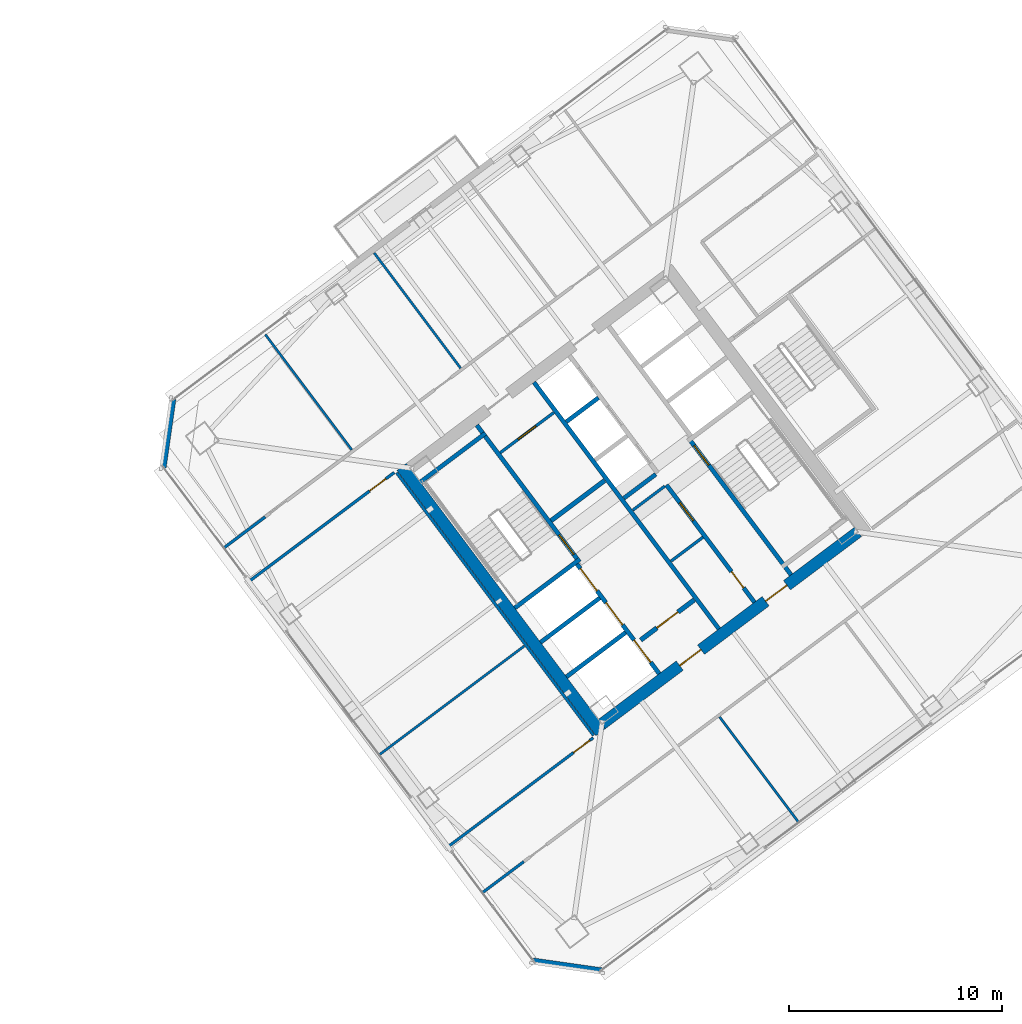
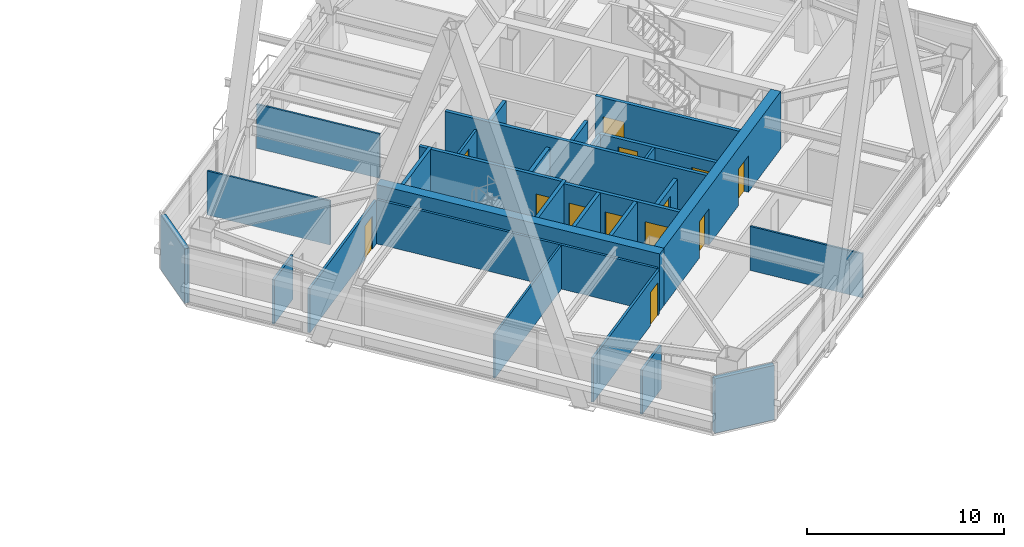
# One storey, part 47 of 55: 29 walls, 13 doors, 13 openings.
"""IFC4 building model written with IfcOpenShell, lengths in metres."""

from ifc_helpers import new_model, si_unit, direction, frame, frame_2d, origin, place, context, subcontext, project, spatial, rectangle, extrude, material, layer, layer_set, type_object, element, fill, save


model = new_model("IFC4")

# Units and contexts
model_context = context("Model", 3, precision=1e-05, world=origin(), true_north=direction((0.0, 1.0)))
body_context = subcontext(model_context, "Body", "Model", "MODEL_VIEW")
ifc_project = project(units=[si_unit("LENGTHUNIT", "METRE"), si_unit("AREAUNIT", "SQUARE_METRE"), si_unit("VOLUMEUNIT", "CUBIC_METRE"), si_unit("PLANEANGLEUNIT", "RADIAN"), si_unit("MASSUNIT", "GRAM", prefix="KILO")], contexts=[model_context])

# Site, building, storey
site_placement = place(None, origin())
site = spatial("IfcSite", under=ifc_project, at=site_placement, CompositionType="ELEMENT")
building_placement = place(site_placement, origin())
building = spatial("IfcBuilding", under=site, at=building_placement, Name="Tashvorn Skyway Center", CompositionType="ELEMENT")
storey_placement = place(building_placement, frame((0.0, 0.0, 178.300048828125)))
storey = spatial("IfcBuildingStorey", under=building, at=storey_placement, Name="L48", CompositionType="ELEMENT", Elevation=178.300048828125)

# Wall
ifc_material_1 = material(Name="Concrete C60/75", Category="concrete")
ifc_layer_1 = layer(ifc_material_1, 0.550048828125)
ifc_layer_set_1 = layer_set([ifc_layer_1], Name="Concrete C60/75")
wall_type_1 = type_object("IfcWallType", Name="WALL-CORE-550", PredefinedType="SHEAR", material=ifc_layer_set_1)
wall_1_placement = place(storey_placement, frame((112.43603515625, 21.076904296875, 0.0), z_axis=(0.0, 0.0, 1.0), x_axis=(-0.600005007985, 0.799996243986, 0.0)))
element("IfcWall", 1, at=wall_1_placement, inside=storey, type_object=wall_type_1, Name="Tower 2 L48 West Core Shear Wall", PredefinedType="SHEAR", context=body_context, shape_type="SweptSolid", body=[
    extrude(rectangle(XDim=15.60009765625, YDim=0.550048828125, at=frame_2d((7.800048828125, 0.0))), origin(), (0.0, 0.0, 1.0), 3.550048828125),
])

# Wall, openings, doors
wall_2_placement = place(storey_placement, frame((124.5390625, 30.498046875, 0.0), z_axis=(0.0, 0.0, 1.0), x_axis=(-0.799998054672, -0.600002593761, 0.0)))
wall_2 = element("IfcWall", 2, at=wall_2_placement, inside=storey, type_object=wall_type_1, Name="Tower 2 L48 South Core Shear Wall", PredefinedType="SHEAR", context=body_context, shape_type="SweptSolid", body=[
    extrude(rectangle(XDim=15.06005859375, YDim=0.550048828125, at=frame_2d((7.530029296875, 0.0))), origin(), (0.0, 0.0, 1.0), 3.550048828125),
])
opening_1_placement = place(wall_2_placement, frame((9.22998046875, 0.0, 0.0)))
opening_1 = element("IfcOpeningElement", 3, at=opening_1_placement, cuts=wall_2, Name="Opening D-FFL-1250", PredefinedType="OPENING", context=body_context, shape_type="SweptSolid", body=[
    extrude(rectangle(XDim=1.25, YDim=2.25, at=frame_2d((0.625, 1.125))), frame((0.0, 0.284912109375, 0.0), z_axis=(0.0, -1.0, 0.0), x_axis=(1.0, 0.0, 0.0)), (0.0, 0.0, 1.0), 0.570068359375),
])
opening_2_placement = place(wall_2_placement, frame((4.179931640625, 0.0, 0.0)))
opening_2 = element("IfcOpeningElement", 4, at=opening_2_placement, cuts=wall_2, Name="Opening D-FFL-1250", PredefinedType="OPENING", context=body_context, shape_type="SweptSolid", body=[
    extrude(rectangle(XDim=1.25, YDim=2.25, at=frame_2d((0.625, 1.125))), frame((0.0, 0.284912109375, 0.0), z_axis=(0.0, -1.0, 0.0), x_axis=(1.0, 0.0, 0.0)), (0.0, 0.0, 1.0), 0.570068359375),
])
ifc_material_2 = material(Name="Hollow galvanized steel fire door assembly", Category="steel")
door_type_1 = type_object("IfcDoorType", Name="DOOR-FFL-1250", OperationType="NOTDEFINED", PredefinedType="DOOR", material=ifc_material_2)
door_1_placement = place(opening_1_placement, origin())
door_1 = element("IfcDoor", 5, at=door_1_placement, inside=storey, type_object=door_type_1, Name="Tower 2 L48 Core South Firefighting Exit Door", OperationType="SINGLE_SWING_LEFT", OverallHeight=2.25, OverallWidth=1.25, PredefinedType="DOOR", context=body_context, shape_type="SweptSolid", body=[
    extrude(rectangle(XDim=1.25, YDim=2.25, at=frame_2d((0.625, 1.125))), frame((0.0, 0.02490234375, 0.0), z_axis=(0.0, -1.0, 0.0), x_axis=(1.0, 0.0, 0.0)), (0.0, 0.0, 1.0), 0.050048828125),
])
fill(opening_1, door_1)
door_2_placement = place(opening_2_placement, origin())
door_2 = element("IfcDoor", 6, at=door_2_placement, inside=storey, type_object=door_type_1, Name="Tower 2 L48 Core South Lift Lobby Door", OperationType="SINGLE_SWING_RIGHT", OverallHeight=2.25, OverallWidth=1.25, PredefinedType="DOOR", context=body_context, shape_type="SweptSolid", body=[
    extrude(rectangle(XDim=1.25, YDim=2.25, at=frame_2d((0.625, 1.125))), frame((0.0, 0.02490234375, 0.0), z_axis=(0.0, -1.0, 0.0), x_axis=(1.0, 0.0, 0.0)), (0.0, 0.0, 1.0), 0.050048828125),
])
fill(opening_2, door_2)

# Walls
ifc_material_3 = material(Name="Precast concrete C40/50", Category="concrete")
ifc_layer_2 = layer(ifc_material_3, 0.280029296875)
ifc_layer_set_2 = layer_set([ifc_layer_2], Name="Precast concrete C40/50")
wall_type_2 = type_object("IfcWallType", Name="WALL-EXT-280", PredefinedType="SOLIDWALL", material=ifc_layer_set_2)
for number, where, z_axis, x_axis, name in (
    (7, (112.47998046875, 9.860107421875, 0.0), (0.0, 0.0, 1.0), (-0.989950994782, 0.141410847992, 0.0), "Tower 2 L48 SW Precast Chamfer Wall"),
    (8, (91.860107421875, 33.52001953125, 0.0), (0.0, 0.0, 1.0), (0.141410847992, 0.989950994782, 0.0), "Tower 2 L48 NW Precast Chamfer Wall"),
):
    element("IfcWall", number, at=place(storey_placement, frame(where, z_axis=z_axis, x_axis=x_axis)), inside=storey, type_object=wall_type_2, Name=name, PredefinedType="SOLIDWALL", context=body_context, shape_type="SweptSolid", body=[
        extrude(rectangle(XDim=3.252685546875, YDim=0.280029296875, at=frame_2d((1.62646484375, 0.0))), origin(), (0.0, 0.0, 1.0), 3.369873046875),
    ])
ifc_material_4 = material(Name="Concrete C40/50", Category="concrete")
ifc_layer_3 = layer(ifc_material_4, 0.219970703125)
ifc_layer_set_3 = layer_set([ifc_layer_3], Name="Concrete C40/50")
wall_type_3 = type_object("IfcWallType", Name="WALL-FFL-220", PredefinedType="SOLIDWALL", material=ifc_layer_set_3)
wall_3_placement = place(storey_placement, frame((110.10400390625, 31.028076171875, 0.0), z_axis=(0.0, 0.0, 1.0), x_axis=(0.800018601094, 0.59997519774, 0.0)))
element("IfcWall", 9, at=wall_3_placement, inside=storey, type_object=wall_type_3, Name="Tower 2 L48 Firefighting Lobby North Wall", PredefinedType="SOLIDWALL", context=body_context, shape_type="SweptSolid", body=[
    extrude(rectangle(XDim=3.14990234375, YDim=0.219970703125, at=frame_2d((1.574951171875, 0.0))), origin(), (0.0, 0.0, 1.0), 2.722900390625),
])

# Wall, opening, door
wall_4_placement = place(storey_placement, frame((114.31591796875, 25.412109375, 0.0), z_axis=(0.0, 0.0, 1.0), x_axis=(0.800018601094, 0.59997519774, 0.0)))
wall_4 = element("IfcWall", 10, at=wall_4_placement, inside=storey, type_object=wall_type_3, Name="Tower 2 L48 Firefighting Lobby South Wall", PredefinedType="SOLIDWALL", context=body_context, shape_type="SweptSolid", body=[
    extrude(rectangle(XDim=3.14990234375, YDim=0.219970703125, at=frame_2d((1.574951171875, 0.0))), origin(), (0.0, 0.0, 1.0), 2.722900390625),
])
opening_3_placement = place(wall_4_placement, frame((0.949951171875, 0.0, 0.0)))
opening_3 = element("IfcOpeningElement", 11, at=opening_3_placement, cuts=wall_4, Name="Opening D-FFL-1250", PredefinedType="OPENING", context=body_context, shape_type="SweptSolid", body=[
    extrude(rectangle(XDim=1.25, YDim=2.25, at=frame_2d((0.625, 1.125))), frame((0.0, 0.119873046875, 0.0), z_axis=(0.0, -1.0, 0.0), x_axis=(1.0, 0.0, 0.0)), (0.0, 0.0, 1.0), 0.239990234375),
])
door_3_placement = place(opening_3_placement, origin())
door_3 = element("IfcDoor", 12, at=door_3_placement, inside=storey, type_object=door_type_1, Name="Tower 2 L48 Firefighting Lobby Egress Door", OperationType="SINGLE_SWING_LEFT", OverallHeight=2.25, OverallWidth=1.25, PredefinedType="DOOR", context=body_context, shape_type="SweptSolid", body=[
    extrude(rectangle(XDim=1.25, YDim=2.25, at=frame_2d((0.625, 1.125))), frame((0.0, 0.02490234375, 0.0), z_axis=(0.0, -1.0, 0.0), x_axis=(1.0, 0.0, 0.0)), (0.0, 0.0, 1.0), 0.050048828125),
])
fill(opening_3, door_3)

# Walls
ifc_material_5 = material(Name="Gypsum board on cold-formed steel stud framing", Category="steel")
ifc_layer_4 = layer(ifc_material_5, 0.110107421875)
ifc_layer_set_4 = layer_set([ifc_layer_4], Name="Gypsum board on cold-formed steel stud framing")
wall_type_4 = type_object("IfcWallType", Name="WALL-PART-110", PredefinedType="PARTITIONING", material=ifc_layer_set_4)
wall_5_placement = place(storey_placement, frame((100.72998046875, 34.360107421875, 0.0), z_axis=(0.0, 0.0, 1.0), x_axis=(-0.6, 0.8, 0.0)))
element("IfcWall", 13, at=wall_5_placement, inside=storey, type_object=wall_type_4, Name="Tower 2 L48 North Suite Partition 1", PredefinedType="PARTITIONING", context=body_context, shape_type="SweptSolid", body=[
    extrude(rectangle(XDim=6.77978515625, YDim=0.110107421875, at=frame_2d((3.389892578125, 0.0))), origin(), (0.0, 0.0, 1.0), 2.722900390625),
])
wall_6_placement = place(storey_placement, frame((105.85009765625, 38.199951171875, 0.0), z_axis=(0.0, 0.0, 1.0), x_axis=(-0.600005761307, 0.799995678987, 0.0)))
element("IfcWall", 14, at=wall_6_placement, inside=storey, type_object=wall_type_4, Name="Tower 2 L48 North Suite Partition 2", PredefinedType="PARTITIONING", context=body_context, shape_type="SweptSolid", body=[
    extrude(rectangle(XDim=6.780029296875, YDim=0.110107421875, at=frame_2d((3.39013671875, 0.0))), origin(), (0.0, 0.0, 1.0), 2.722900390625),
])
wall_7_placement = place(storey_placement, frame((121.748046875, 16.8359375, 0.0), z_axis=(0.0, 0.0, 1.0), x_axis=(-0.6, 0.8, 0.0)))
element("IfcWall", 15, at=wall_7_placement, inside=storey, type_object=wall_type_4, Name="Tower 2 L48 South Suite Partition 1", PredefinedType="PARTITIONING", context=body_context, shape_type="SweptSolid", body=[
    extrude(rectangle(XDim=6.199951171875, YDim=0.110107421875, at=frame_2d((3.10009765625, 0.0))), origin(), (0.0, 0.0, 1.0), 2.722900390625),
])
wall_8_placement = place(storey_placement, frame((102.01611328125, 20.011962890625, 0.0), z_axis=(0.0, 0.0, 1.0), x_axis=(0.799989708052, 0.600013722352, 0.0)))
element("IfcWall", 16, at=wall_8_placement, inside=storey, type_object=wall_type_4, Name="Tower 2 L48 West Mid Partition", PredefinedType="PARTITIONING", context=body_context, shape_type="SweptSolid", body=[
    extrude(rectangle(XDim=8.539794921875, YDim=0.110107421875, at=frame_2d((4.27001953125, 0.0))), origin(), (0.0, 0.0, 1.0), 2.722900390625),
])
ifc_layer_5 = layer(ifc_material_5, 0.135009765625)
ifc_layer_set_5 = layer_set([ifc_layer_5], Name="Gypsum board on cold-formed steel stud framing")
wall_type_5 = type_object("IfcWallType", Name="WALL-PART-135", PredefinedType="PARTITIONING", material=ifc_layer_set_5)
wall_9_placement = place(storey_placement, frame((94.714111328125, 29.748046875, 0.0), z_axis=(0.0, 0.0, 1.0), x_axis=(0.799975885537, 0.600032151272, 0.0)))
element("IfcWall", 17, at=wall_9_placement, inside=storey, type_object=wall_type_5, Name="Tower 2 L48 North-West Suite South Wall", PredefinedType="PARTITIONING", context=body_context, shape_type="SweptSolid", body=[
    extrude(rectangle(XDim=2.429931640625, YDim=0.135009765625, at=frame_2d((1.21484375, 0.0))), origin(), (0.0, 0.0, 1.0), 2.722900390625),
])
wall_10_placement = place(storey_placement, frame((106.8759765625, 13.531982421875, 0.0), z_axis=(0.0, 0.0, 1.0), x_axis=(0.800012055778, 0.599983925293, 0.0)))
element("IfcWall", 18, at=wall_10_placement, inside=storey, type_object=wall_type_5, Name="Tower 2 L48 South-West Suite North Wall", PredefinedType="PARTITIONING", context=body_context, shape_type="SweptSolid", body=[
    extrude(rectangle(XDim=2.43017578125, YDim=0.135009765625, at=frame_2d((1.215087890625, 0.0))), origin(), (0.0, 0.0, 1.0), 2.722900390625),
])
wall_11_placement = place(storey_placement, frame((112.10400390625, 20.927978515625, 0.0), z_axis=(0.0, 0.0, 1.0), x_axis=(-0.599994940075, 0.800003794918, 0.0)))
element("IfcWall", 19, at=wall_11_placement, inside=storey, type_object=wall_type_5, Name="Tower 2 L48 West Inner Suite Wall", PredefinedType="PARTITIONING", context=body_context, shape_type="SweptSolid", body=[
    extrude(rectangle(XDim=15.43994140625, YDim=0.135009765625, at=frame_2d((7.719970703125, 0.0))), origin(), (0.0, 0.0, 1.0), 2.722900390625),
])

# Wall, opening, door
wall_12_placement = place(storey_placement, frame((102.72802734375, 33.2958984375, 0.0), z_axis=(0.0, 0.0, 1.0), x_axis=(-0.800013722153, -0.59998170336, 0.0)))
wall_12 = element("IfcWall", 20, at=wall_12_placement, inside=storey, type_object=wall_type_5, Name="Tower 2 L48 West Suite North Wall", PredefinedType="PARTITIONING", context=body_context, shape_type="SweptSolid", body=[
    extrude(rectangle(XDim=8.539794921875, YDim=0.135009765625, at=frame_2d((4.27001953125, 0.0))), origin(), (0.0, 0.0, 1.0), 2.722900390625),
])
opening_4_placement = place(wall_12_placement, frame((0.5, 0.0, 0.0)))
opening_4 = element("IfcOpeningElement", 21, at=opening_4_placement, cuts=wall_12, Name="Opening D-INT-950", PredefinedType="OPENING", context=body_context, shape_type="SweptSolid", body=[
    extrude(rectangle(XDim=0.949951171875, YDim=2.050048828125, at=frame_2d((0.47509765625, 1.02490234375))), frame((0.0, 0.077392578125, 0.0), z_axis=(0.0, -1.0, 0.0), x_axis=(1.0, 0.0, 0.0)), (0.0, 0.0, 1.0), 0.155029296875),
])
ifc_material_6 = material(Name="Solid-core architectural oak veneer door")
door_type_2 = type_object("IfcDoorType", Name="DOOR-INT-950", OperationType="NOTDEFINED", PredefinedType="DOOR", material=ifc_material_6)
door_4_placement = place(opening_4_placement, origin())
door_4 = element("IfcDoor", 22, at=door_4_placement, inside=storey, type_object=door_type_2, Name="Tower 2 L48 Design Studio Door", OperationType="SINGLE_SWING_RIGHT", OverallHeight=2.050048828125, OverallWidth=0.949951171875, PredefinedType="DOOR", context=body_context, shape_type="SweptSolid", body=[
    extrude(rectangle(XDim=0.949951171875, YDim=2.050048828125, at=frame_2d((0.47509765625, 1.02490234375))), frame((0.0, 0.02490234375, 0.0), z_axis=(0.0, -1.0, 0.0), x_axis=(1.0, 0.0, 0.0)), (0.0, 0.0, 1.0), 0.050048828125),
])
fill(opening_4, door_4)

wall_13_placement = place(storey_placement, frame((105.256103515625, 15.69189453125, 0.0), z_axis=(0.0, 0.0, 1.0), x_axis=(0.799989708052, 0.600013722352, 0.0)))
wall_13 = element("IfcWall", 23, at=wall_13_placement, inside=storey, type_object=wall_type_5, Name="Tower 2 L48 West Suite South Wall", PredefinedType="PARTITIONING", context=body_context, shape_type="SweptSolid", body=[
    extrude(rectangle(XDim=8.539794921875, YDim=0.135009765625, at=frame_2d((4.27001953125, 0.0))), origin(), (0.0, 0.0, 1.0), 2.722900390625),
])
opening_5_placement = place(wall_13_placement, frame((7.3798828125, 0.0, 0.0)))
opening_5 = element("IfcOpeningElement", 24, at=opening_5_placement, cuts=wall_13, Name="Opening D-INT-950", PredefinedType="OPENING", context=body_context, shape_type="SweptSolid", body=[
    extrude(rectangle(XDim=0.949951171875, YDim=2.050048828125, at=frame_2d((0.47509765625, 1.02490234375))), frame((0.0, 0.077392578125, 0.0), z_axis=(0.0, -1.0, 0.0), x_axis=(1.0, 0.0, 0.0)), (0.0, 0.0, 1.0), 0.155029296875),
])
door_5_placement = place(opening_5_placement, origin())
door_5 = element("IfcDoor", 25, at=door_5_placement, inside=storey, type_object=door_type_2, Name="Tower 2 L48 Public Restroom Door", OperationType="SINGLE_SWING_LEFT", OverallHeight=2.050048828125, OverallWidth=0.949951171875, PredefinedType="DOOR", context=body_context, shape_type="SweptSolid", body=[
    extrude(rectangle(XDim=0.949951171875, YDim=2.050048828125, at=frame_2d((0.47509765625, 1.02490234375))), frame((0.0, 0.02490234375, 0.0), z_axis=(0.0, -1.0, 0.0), x_axis=(1.0, 0.0, 0.0)), (0.0, 0.0, 1.0), 0.050048828125),
])
fill(opening_5, door_5)

ifc_layer_6 = layer(ifc_material_5, 0.135009765625)
ifc_layer_set_6 = layer_set([ifc_layer_6], Name="Gypsum board on cold-formed steel stud framing")
wall_type_6 = type_object("IfcWallType", Name="WALL-RATED-135", PredefinedType="PARTITIONING", material=ifc_layer_set_6)
wall_14_placement = place(storey_placement, frame((107.7099609375, 34.219970703125, 0.0), z_axis=(0.0, 0.0, 1.0), x_axis=(0.799981399002, 0.60002480053, 0.0)))
wall_14 = element("IfcWall", 26, at=wall_14_placement, inside=storey, type_object=wall_type_6, Name="Tower 2 L48 Core Service Lobby Wall", PredefinedType="PARTITIONING", context=body_context, shape_type="SweptSolid", body=[
    extrude(rectangle(XDim=3.150146484375, YDim=0.135009765625, at=frame_2d((1.5751953125, 0.0))), origin(), (0.0, 0.0, 1.0), 2.722900390625),
])
opening_6_placement = place(wall_14_placement, frame((1.050048828125, 0.0, 0.0)))
opening_6 = element("IfcOpeningElement", 27, at=opening_6_placement, cuts=wall_14, Name="Opening D-RT-1050", PredefinedType="OPENING", context=body_context, shape_type="SweptSolid", body=[
    extrude(rectangle(XDim=1.050048828125, YDim=2.199951171875, at=frame_2d((0.52490234375, 1.10009765625))), frame((0.0, 0.077392578125, 0.0), z_axis=(0.0, -1.0, 0.0), x_axis=(1.0, 0.0, 0.0)), (0.0, 0.0, 1.0), 0.155029296875),
])
door_type_3 = type_object("IfcDoorType", Name="DOOR-RATED-1050", OperationType="NOTDEFINED", PredefinedType="DOOR", material=ifc_material_2)
door_6_placement = place(opening_6_placement, origin())
door_6 = element("IfcDoor", 28, at=door_6_placement, inside=storey, type_object=door_type_3, Name="Tower 2 L48 Core Accessible WC Door", OperationType="SINGLE_SWING_LEFT", OverallHeight=2.199951171875, OverallWidth=1.050048828125, PredefinedType="DOOR", context=body_context, shape_type="SweptSolid", body=[
    extrude(rectangle(XDim=1.050048828125, YDim=2.199951171875, at=frame_2d((0.52490234375, 1.10009765625))), frame((0.0, 0.02490234375, 0.0), z_axis=(0.0, -1.0, 0.0), x_axis=(1.0, 0.0, 0.0)), (0.0, 0.0, 1.0), 0.050048828125),
])
fill(opening_6, door_6)

# Walls
for number, where, z_axis, x_axis, name in (
    (29, (113.946044921875, 31.52197265625, 0.0), (0.0, 0.0, 1.0), (0.8, 0.6, 0.0), "Tower 2 L48 Core Room Partition"),
    (30, (115.74609375, 29.1220703125, 0.0), (0.0, 0.0, 1.0), (0.8, 0.6, 0.0), "Tower 2 L48 Freed Core Partition"),
):
    element("IfcWall", number, at=place(storey_placement, frame(where, z_axis=z_axis, x_axis=x_axis)), inside=storey, type_object=wall_type_6, Name=name, PredefinedType="PARTITIONING", context=body_context, shape_type="SweptSolid", body=[
        extrude(rectangle(XDim=1.8798828125, YDim=0.135009765625, at=frame_2d((0.93994140625, 0.0))), origin(), (0.0, 0.0, 1.0), 2.722900390625),
    ])
ifc_layer_7 = layer(ifc_material_4, 0.199951171875)
ifc_layer_set_7 = layer_set([ifc_layer_7], Name="Concrete C40/50")
wall_type_7 = type_object("IfcWallType", Name="WALL-SHAFT-200", PredefinedType="SOLIDWALL", material=ifc_layer_set_7)
for number, where, z_axis, x_axis, name in (
    (31, (110.825927734375, 23.681884765625, 0.0), (0.0, 0.0, 1.0), (0.8, 0.6, 0.0), "Tower 2 L48 FSAE Shaft Divider"),
    (32, (109.60791015625, 25.305908203125, 0.0), (0.0, 0.0, 1.0), (0.8, 0.6, 0.0), "Tower 2 L48 FSAE Shaft Divider"),
):
    element("IfcWall", number, at=place(storey_placement, frame(where, z_axis=z_axis, x_axis=x_axis)), inside=storey, type_object=wall_type_7, Name=name, PredefinedType="SOLIDWALL", context=body_context, shape_type="SweptSolid", body=[
        extrude(rectangle(XDim=3.480224609375, YDim=0.199951171875, at=frame_2d((1.740234375, 0.0))), origin(), (0.0, 0.0, 1.0), 3.369873046875),
    ])

# Wall, openings, doors
wall_15_placement = place(storey_placement, frame((119.669921875, 27.18994140625, 0.0), z_axis=(0.0, 0.0, 1.0), x_axis=(-0.599988677396, 0.800008491828, 0.0)))
wall_15 = element("IfcWall", 33, at=wall_15_placement, inside=storey, type_object=wall_type_7, Name="Tower 2 L48 Low-Rise Core Wall", PredefinedType="SOLIDWALL", context=body_context, shape_type="SweptSolid", body=[
    extrude(rectangle(XDim=6.89990234375, YDim=0.199951171875, at=frame_2d((3.449951171875, 0.0))), origin(), (0.0, 0.0, 1.0), 2.722900390625),
])
opening_7_placement = place(wall_15_placement, frame((0.85009765625, 0.0, 0.0)))
opening_7 = element("IfcOpeningElement", 34, at=opening_7_placement, cuts=wall_15, Name="Opening D-RT-950", PredefinedType="OPENING", context=body_context, shape_type="SweptSolid", body=[
    extrude(rectangle(XDim=0.949951171875, YDim=2.050048828125, at=frame_2d((0.47509765625, 1.02490234375))), frame((0.0, 0.10986328125, 0.0), z_axis=(0.0, -1.0, 0.0), x_axis=(1.0, 0.0, 0.0)), (0.0, 0.0, 1.0), 0.219970703125),
])
opening_8_placement = place(wall_15_placement, frame((4.800048828125, 0.0, 0.0)))
opening_8 = element("IfcOpeningElement", 35, at=opening_8_placement, cuts=wall_15, Name="Opening D-RT-1050", PredefinedType="OPENING", context=body_context, shape_type="SweptSolid", body=[
    extrude(rectangle(XDim=1.050048828125, YDim=2.199951171875, at=frame_2d((0.52490234375, 1.10009765625))), frame((0.0, 0.10986328125, 0.0), z_axis=(0.0, -1.0, 0.0), x_axis=(1.0, 0.0, 0.0)), (0.0, 0.0, 1.0), 0.219970703125),
])
door_7_placement = place(opening_8_placement, origin())
door_7 = element("IfcDoor", 36, at=door_7_placement, inside=storey, type_object=door_type_3, Name="Tower 2 L48 Freed Core Room Door", OperationType="SINGLE_SWING_RIGHT", OverallHeight=2.199951171875, OverallWidth=1.050048828125, PredefinedType="DOOR", context=body_context, shape_type="SweptSolid", body=[
    extrude(rectangle(XDim=1.050048828125, YDim=2.199951171875, at=frame_2d((0.52490234375, 1.10009765625))), frame((0.0, 0.02490234375, 0.0), z_axis=(0.0, -1.0, 0.0), x_axis=(1.0, 0.0, 0.0)), (0.0, 0.0, 1.0), 0.050048828125),
])
fill(opening_8, door_7)
door_type_4 = type_object("IfcDoorType", Name="DOOR-RATED-950", OperationType="NOTDEFINED", PredefinedType="DOOR", material=ifc_material_2)
door_8_placement = place(opening_7_placement, origin())
door_8 = element("IfcDoor", 37, at=door_8_placement, inside=storey, type_object=door_type_4, Name="Tower 2 L48 Core Print Room Door", OperationType="SINGLE_SWING_LEFT", OverallHeight=2.050048828125, OverallWidth=0.949951171875, PredefinedType="DOOR", context=body_context, shape_type="SweptSolid", body=[
    extrude(rectangle(XDim=0.949951171875, YDim=2.050048828125, at=frame_2d((0.47509765625, 1.02490234375))), frame((0.0, 0.02490234375, 0.0), z_axis=(0.0, -1.0, 0.0), x_axis=(1.0, 0.0, 0.0)), (0.0, 0.0, 1.0), 0.050048828125),
])
fill(opening_7, door_8)

# Walls
for number, where, z_axis, x_axis, name in (
    (38, (113.52587890625, 32.08203125, 0.0), (0.0, 0.0, 1.0), (0.800046745961, 0.599937666993, 0.0), "Tower 2 L48 Mid-Rise Shaft Divider"),
    (39, (110.825927734375, 35.681884765625, 0.0), (0.0, 0.0, 1.0), (0.799984418148, 0.600020775241, 0.0), "Tower 2 L48 Mid-Rise Shaft Divider"),
):
    element("IfcWall", number, at=place(storey_placement, frame(where, z_axis=z_axis, x_axis=x_axis)), inside=storey, type_object=wall_type_7, Name=name, PredefinedType="SOLIDWALL", context=body_context, shape_type="SweptSolid", body=[
        extrude(rectangle(XDim=1.880126953125, YDim=0.199951171875, at=frame_2d((0.93994140625, 0.0))), origin(), (0.0, 0.0, 1.0), 3.369873046875),
    ])

# Wall, opening, door
ifc_layer_8 = layer(ifc_material_4, 0.199951171875)
ifc_layer_set_8 = layer_set([ifc_layer_8], Name="Concrete C40/50")
wall_type_8 = type_object("IfcWallType", Name="WALL-STSHF-200", PredefinedType="SHEAR", material=ifc_layer_set_8)
wall_16_placement = place(storey_placement, frame((111.43994140625, 29.080078125, 0.0), z_axis=(0.0, 0.0, 1.0), x_axis=(-0.59999029481, 0.8000072788, 0.0)))
wall_16 = element("IfcWall", 40, at=wall_16_placement, inside=storey, type_object=wall_type_8, Name="Tower 2 L48 Stair 1 Enclosure Wall", PredefinedType="SHEAR", context=body_context, shape_type="SweptSolid", body=[
    extrude(rectangle(XDim=8.0498046875, YDim=0.199951171875, at=frame_2d((4.02490234375, 0.0))), origin(), (0.0, 0.0, 1.0), 3.369873046875),
])
opening_9_placement = place(wall_16_placement, frame((0.449951171875, 0.0, 0.0)))
opening_9 = element("IfcOpeningElement", 41, at=opening_9_placement, cuts=wall_16, Name="Opening D-ST-1150", PredefinedType="OPENING", context=body_context, shape_type="SweptSolid", body=[
    extrude(rectangle(XDim=1.14990234375, YDim=2.199951171875, at=frame_2d((0.574951171875, 1.10009765625))), frame((0.0, 0.10986328125, 0.0), z_axis=(0.0, -1.0, 0.0), x_axis=(1.0, 0.0, 0.0)), (0.0, 0.0, 1.0), 0.219970703125),
])
door_type_5 = type_object("IfcDoorType", Name="DOOR-STAIR-1150", OperationType="NOTDEFINED", PredefinedType="DOOR", material=ifc_material_2)
door_9_placement = place(opening_9_placement, origin())
door_9 = element("IfcDoor", 42, at=door_9_placement, inside=storey, type_object=door_type_5, Name="Tower 2 L48 Exit Stair 1 Door", OperationType="SINGLE_SWING_RIGHT", OverallHeight=2.199951171875, OverallWidth=1.14990234375, PredefinedType="DOOR", context=body_context, shape_type="SweptSolid", body=[
    extrude(rectangle(XDim=1.14990234375, YDim=2.199951171875, at=frame_2d((0.574951171875, 1.10009765625))), frame((0.0, 0.02490234375, 0.0), z_axis=(0.0, -1.0, 0.0), x_axis=(1.0, 0.0, 0.0)), (0.0, 0.0, 1.0), 0.050048828125),
])
fill(opening_9, door_9)

# Walls
for number, where, z_axis, x_axis, name in (
    (43, (108.39599609375, 26.922119140625, 0.0), (0.0, 0.0, 1.0), (0.800015298837, 0.599979601008, 0.0), "Tower 2 L48 Stair 1 South Wall"),
    (44, (103.9560546875, 32.842041015625, 0.0), (0.0, 0.0, 1.0), (0.800015298837, 0.599979601008, 0.0), "Tower 2 L48 Stair 1 North Wall"),
):
    element("IfcWall", number, at=place(storey_placement, frame(where, z_axis=z_axis, x_axis=x_axis)), inside=storey, type_object=wall_type_8, Name=name, PredefinedType="SHEAR", context=body_context, shape_type="SweptSolid", body=[
        extrude(rectangle(XDim=3.829833984375, YDim=0.199951171875, at=frame_2d((1.9150390625, 0.0))), origin(), (0.0, 0.0, 1.0), 3.369873046875),
    ])

# Wall, opening, door
wall_17_placement = place(storey_placement, frame((116.56005859375, 34.919921875, 0.0), z_axis=(0.0, 0.0, 1.0), x_axis=(0.59999029481, -0.8000072788, 0.0)))
wall_17 = element("IfcWall", 45, at=wall_17_placement, inside=storey, type_object=wall_type_8, Name="Tower 2 L48 Stair 2 Enclosure Wall", PredefinedType="SHEAR", context=body_context, shape_type="SweptSolid", body=[
    extrude(rectangle(XDim=8.0498046875, YDim=0.199951171875, at=frame_2d((4.02490234375, 0.0))), origin(), (0.0, 0.0, 1.0), 3.369873046875),
])
opening_10_placement = place(wall_17_placement, frame((0.449951171875, 0.0, 0.0)))
opening_10 = element("IfcOpeningElement", 46, at=opening_10_placement, cuts=wall_17, Name="Opening D-ST-1150", PredefinedType="OPENING", context=body_context, shape_type="SweptSolid", body=[
    extrude(rectangle(XDim=1.14990234375, YDim=2.199951171875, at=frame_2d((0.574951171875, 1.10009765625))), frame((0.0, 0.10986328125, 0.0), z_axis=(0.0, -1.0, 0.0), x_axis=(1.0, 0.0, 0.0)), (0.0, 0.0, 1.0), 0.219970703125),
])
door_10_placement = place(opening_10_placement, origin())
door_10 = element("IfcDoor", 47, at=door_10_placement, inside=storey, type_object=door_type_5, Name="Tower 2 L48 Exit Stair 2 Door", OperationType="SINGLE_SWING_RIGHT", OverallHeight=2.199951171875, OverallWidth=1.14990234375, PredefinedType="DOOR", context=body_context, shape_type="SweptSolid", body=[
    extrude(rectangle(XDim=1.14990234375, YDim=2.199951171875, at=frame_2d((0.574951171875, 1.10009765625))), frame((0.0, 0.02490234375, 0.0), z_axis=(0.0, -1.0, 0.0), x_axis=(1.0, 0.0, 0.0)), (0.0, 0.0, 1.0), 0.050048828125),
])
fill(opening_10, door_10)

# Wall
wall_18_placement = place(storey_placement, frame((117.998046875, 25.93603515625, 0.0), z_axis=(0.0, 0.0, 1.0), x_axis=(-0.600002693989, 0.799997979501, 0.0)))
element("IfcWall", 48, at=wall_18_placement, inside=storey, type_object=wall_type_8, Name="Tower 2 L48 Firefighting Lobby East Smoke Barrier", PredefinedType="SHEAR", context=body_context, shape_type="SweptSolid", body=[
    extrude(rectangle(XDim=14.499755859375, YDim=0.199951171875, at=frame_2d((7.25, 0.0))), origin(), (0.0, 0.0, 1.0), 3.369873046875),
])

# Wall, openings, doors
wall_19_placement = place(storey_placement, frame((115.18994140625, 23.830078125, 0.0), z_axis=(0.0, 0.0, 1.0), x_axis=(-0.599993943644, 0.800004542231, 0.0)))
wall_19 = element("IfcWall", 49, at=wall_19_placement, inside=storey, type_object=wall_type_8, Name="Tower 2 L48 FSAE and Goods Shaft Front Wall", PredefinedType="SHEAR", context=body_context, shape_type="SweptSolid", body=[
    extrude(rectangle(XDim=6.449951171875, YDim=0.199951171875, at=frame_2d((3.22509765625, 0.0))), origin(), (0.0, 0.0, 1.0), 3.369873046875),
])
opening_11_placement = place(wall_19_placement, frame((4.875, 0.0, 0.0)))
opening_11 = element("IfcOpeningElement", 50, at=opening_11_placement, cuts=wall_19, Name="Opening LD-FF-T2-1-L48", PredefinedType="OPENING", context=body_context, shape_type="SweptSolid", body=[
    extrude(rectangle(XDim=1.300048828125, YDim=2.25, at=frame_2d((0.64990234375, 1.125))), frame((0.0, 0.10986328125, 0.0), z_axis=(0.0, -1.0, 0.0), x_axis=(1.0, 0.0, 0.0)), (0.0, 0.0, 1.0), 0.219970703125),
])
opening_12_placement = place(wall_19_placement, frame((2.875, 0.0, 0.0)))
opening_12 = element("IfcOpeningElement", 51, at=opening_12_placement, cuts=wall_19, Name="Opening LD-FF-T2-2-L48", PredefinedType="OPENING", context=body_context, shape_type="SweptSolid", body=[
    extrude(rectangle(XDim=1.300048828125, YDim=2.25, at=frame_2d((0.64990234375, 1.125))), frame((0.0, 0.10986328125, 0.0), z_axis=(0.0, -1.0, 0.0), x_axis=(1.0, 0.0, 0.0)), (0.0, 0.0, 1.0), 0.219970703125),
])
opening_13_placement = place(wall_19_placement, frame((0.675048828125, 0.0, 0.0)))
opening_13 = element("IfcOpeningElement", 52, at=opening_13_placement, cuts=wall_19, Name="Opening LD-GD-T2-1-L48", PredefinedType="OPENING", context=body_context, shape_type="SweptSolid", body=[
    extrude(rectangle(XDim=1.300048828125, YDim=2.25, at=frame_2d((0.64990234375, 1.125))), frame((0.0, 0.10986328125, 0.0), z_axis=(0.0, -1.0, 0.0), x_axis=(1.0, 0.0, 0.0)), (0.0, 0.0, 1.0), 0.219970703125),
])
ifc_material_7 = material(Name="Stainless steel heavy-duty landing door", Category="steel")
door_type_6 = type_object("IfcDoorType", Name="DOOR-LIFT-1300", OperationType="SLIDING_TO_LEFT", PredefinedType="DOOR", material=ifc_material_7)
door_11_placement = place(opening_11_placement, origin())
door_11 = element("IfcDoor", 53, at=door_11_placement, inside=storey, type_object=door_type_6, Name="Lift FF-T2-1 L48 Landing Door", OperationType="SLIDING_TO_LEFT", OverallHeight=2.25, OverallWidth=1.300048828125, PredefinedType="DOOR", context=body_context, shape_type="SweptSolid", body=[
    extrude(rectangle(XDim=1.300048828125, YDim=2.25, at=frame_2d((0.64990234375, 1.125))), frame((0.0, 0.02490234375, 0.0), z_axis=(0.0, -1.0, 0.0), x_axis=(1.0, 0.0, 0.0)), (0.0, 0.0, 1.0), 0.050048828125),
])
fill(opening_11, door_11)
door_12_placement = place(opening_12_placement, origin())
door_12 = element("IfcDoor", 54, at=door_12_placement, inside=storey, type_object=door_type_6, Name="Lift FF-T2-2 L48 Landing Door", OperationType="SLIDING_TO_LEFT", OverallHeight=2.25, OverallWidth=1.300048828125, PredefinedType="DOOR", context=body_context, shape_type="SweptSolid", body=[
    extrude(rectangle(XDim=1.300048828125, YDim=2.25, at=frame_2d((0.64990234375, 1.125))), frame((0.0, 0.02490234375, 0.0), z_axis=(0.0, -1.0, 0.0), x_axis=(1.0, 0.0, 0.0)), (0.0, 0.0, 1.0), 0.050048828125),
])
fill(opening_12, door_12)
door_13_placement = place(opening_13_placement, origin())
door_13 = element("IfcDoor", 55, at=door_13_placement, inside=storey, type_object=door_type_6, Name="Lift GD-T2-1 L48 Landing Door", OperationType="SLIDING_TO_LEFT", OverallHeight=2.25, OverallWidth=1.300048828125, PredefinedType="DOOR", context=body_context, shape_type="SweptSolid", body=[
    extrude(rectangle(XDim=1.300048828125, YDim=2.25, at=frame_2d((0.64990234375, 1.125))), frame((0.0, 0.02490234375, 0.0), z_axis=(0.0, -1.0, 0.0), x_axis=(1.0, 0.0, 0.0)), (0.0, 0.0, 1.0), 0.050048828125),
])
fill(opening_13, door_13)

save(model, "model.ifc")
